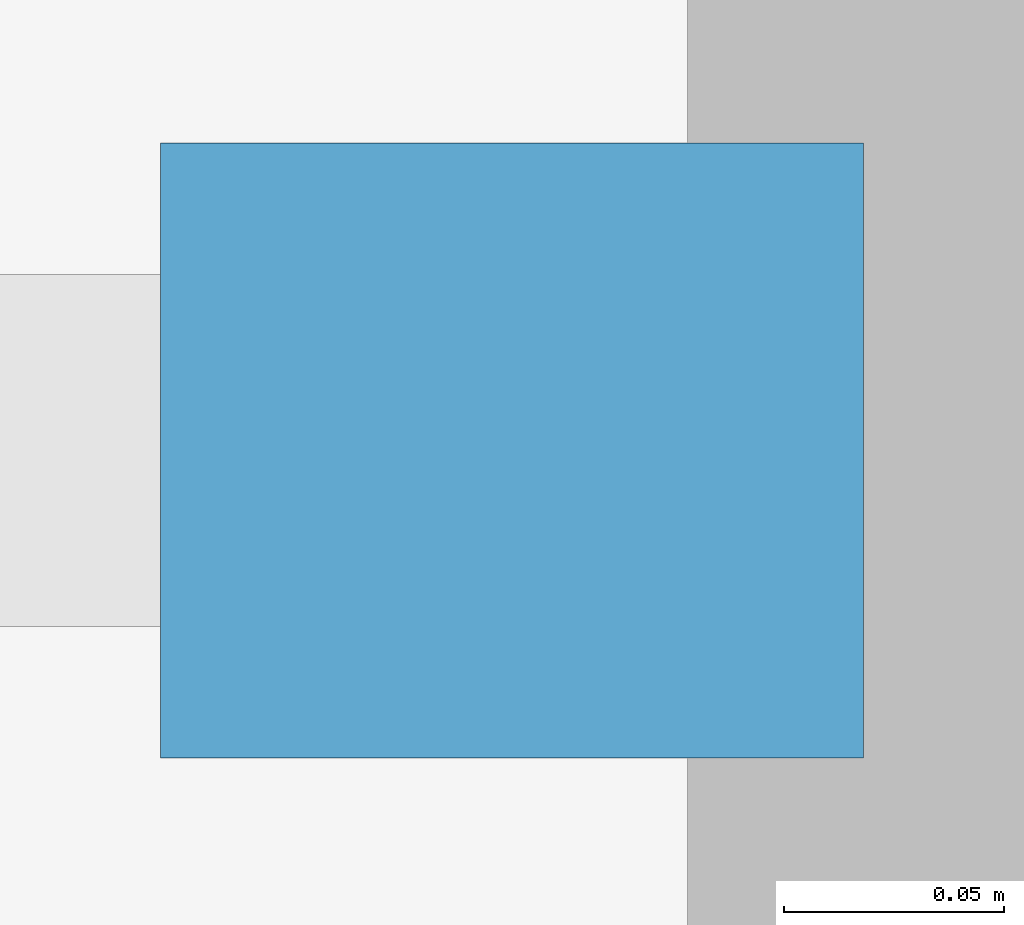
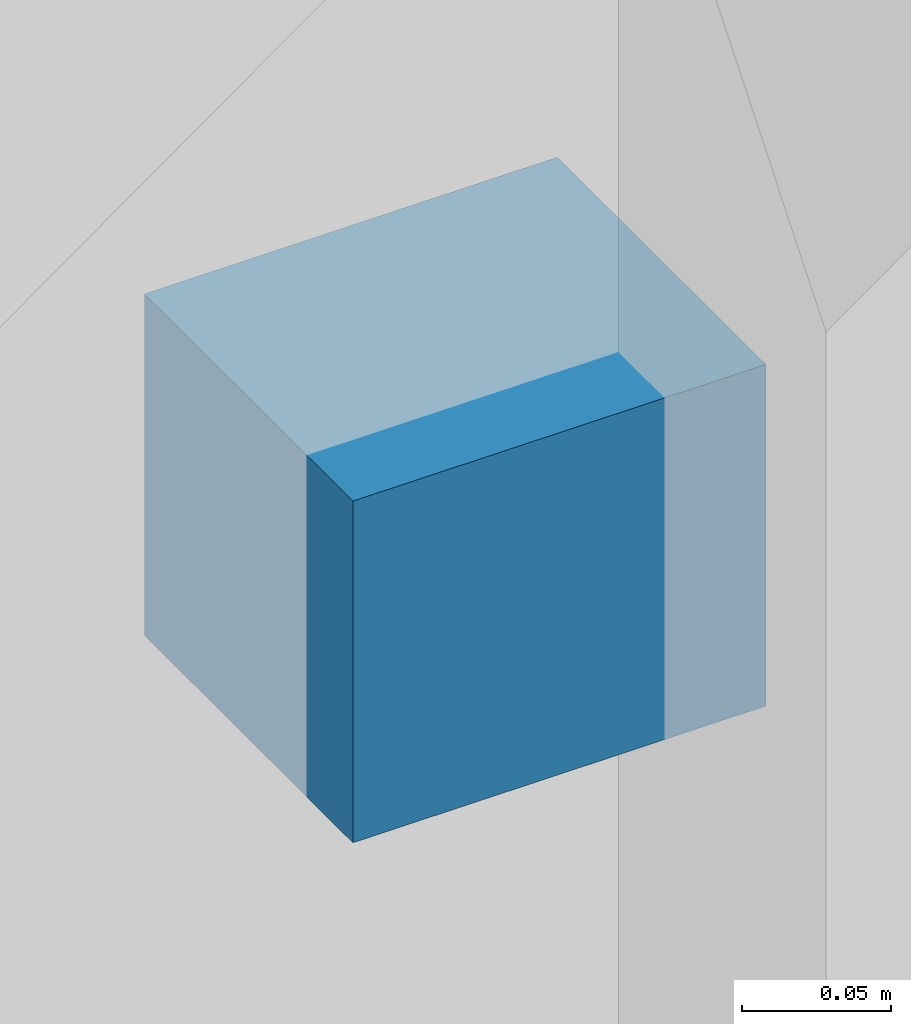
# One storey, part 17 of 18: 1 discrete accessory.
"""IFC4 building model written with IfcOpenShell, lengths in metres."""

from ifc_helpers import new_model, si_unit, direction, frame, origin, origin_2d, place, context, subcontext, project, spatial, rectangle, extrude, material, type_object, element, save


model = new_model("IFC4")

# Units and contexts
model_context = context("Model", 3, precision=1e-05, world=origin(), true_north=direction((0.0, 1.0)))
body_context = subcontext(model_context, "Body", "Model", "MODEL_VIEW")
ifc_project = project(units=[si_unit("LENGTHUNIT", "METRE"), si_unit("AREAUNIT", "SQUARE_METRE"), si_unit("VOLUMEUNIT", "CUBIC_METRE"), si_unit("PLANEANGLEUNIT", "RADIAN"), si_unit("MASSUNIT", "GRAM", prefix="KILO")], contexts=[model_context])

# Site, building, storey
site_placement = place(None, origin())
site = spatial("IfcSite", under=ifc_project, at=site_placement, CompositionType="ELEMENT")
building_placement = place(site_placement, origin())
building = spatial("IfcBuilding", under=site, at=building_placement, Name="Khelvaren Railside Concert Hall", CompositionType="ELEMENT")
storey_placement = place(building_placement, frame((0.0, 0.0, 24.60009765625)))
storey = spatial("IfcBuildingStorey", under=building, at=storey_placement, Name="L05", CompositionType="ELEMENT", Elevation=24.60009765625)

# Discrete accessory
ifc_material = material(Name="Architectural stainless steel Grade 316", Category="steel")
discrete_accessory_type = type_object("IfcDiscreteAccessoryType", Name="BRK87", PredefinedType="BRACKET", material=ifc_material)
discrete_accessory_placement = place(storey_placement, frame((143.81005859375, 95.929931640625, 1.85498046875), z_axis=(0.0, 0.0, 1.0), x_axis=(0.0, 1.0, 0.0)))
element("IfcDiscreteAccessory", 1, at=discrete_accessory_placement, inside=storey, type_object=discrete_accessory_type, Name="Solar Fin Bracket EW-V5-L05-W-91", PredefinedType="BRACKET", context=body_context, shape_type="SweptSolid", body=[
    extrude(rectangle(XDim=0.139892578125, YDim=0.159912109375, at=origin_2d()), origin(), (0.0, 0.0, 1.0), 0.139892578125),
])

save(model, "model.ifc")
